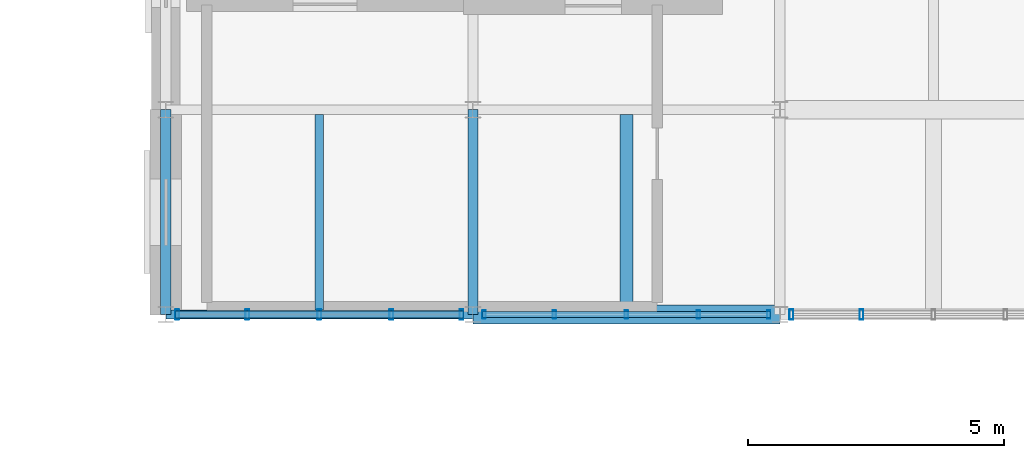
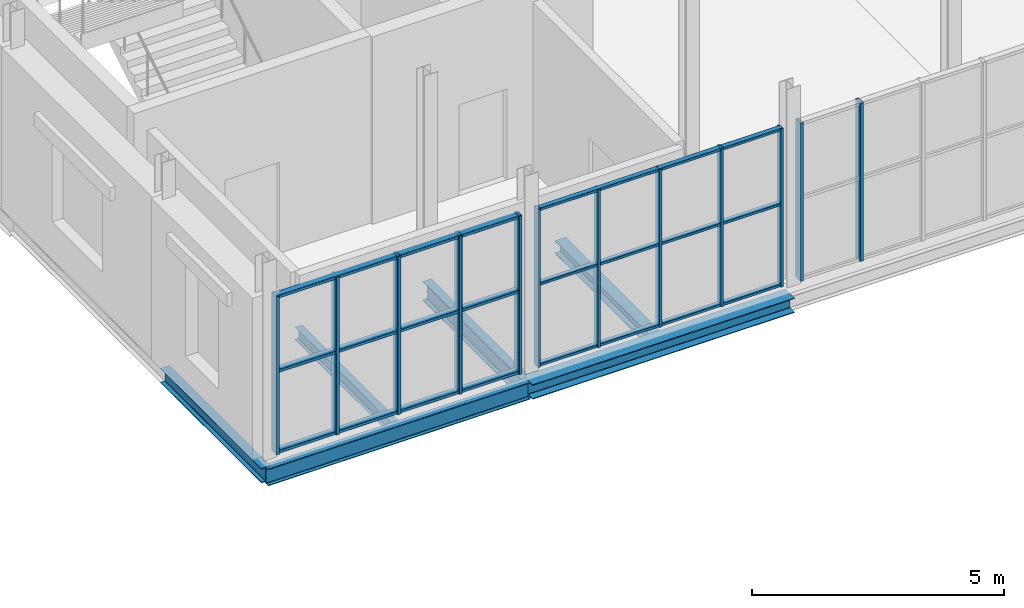
# One storey, part 64 of 114: 18 members, 6 beams, 3 elements without a shape of their own.
"""IFC4 building model written with IfcOpenShell, lengths in metres."""

from ifc_helpers import new_model, si_unit, direction, frame, origin, origin_2d, place, context, subcontext, project, spatial, hollow_rectangle, i_section, extrude, material, material_profile, profile_set, type_object, element, aggregate, save


model = new_model("IFC4")

# Units and contexts
model_context = context("Model", 3, precision=1e-05, world=origin(), true_north=direction((0.0, 1.0)))
body_context = subcontext(model_context, "Body", "Model", "MODEL_VIEW")
ifc_project = project(units=[si_unit("LENGTHUNIT", "METRE"), si_unit("AREAUNIT", "SQUARE_METRE"), si_unit("VOLUMEUNIT", "CUBIC_METRE"), si_unit("PLANEANGLEUNIT", "RADIAN"), si_unit("MASSUNIT", "GRAM", prefix="KILO")], contexts=[model_context])

# Site, building, storey
site_placement = place(None, origin())
site = spatial("IfcSite", under=ifc_project, at=site_placement, CompositionType="ELEMENT")
building_placement = place(site_placement, origin())
building = spatial("IfcBuilding", under=site, at=building_placement, Name="Verrall Gate Interchange", CompositionType="ELEMENT")
storey_placement = place(building_placement, frame((0.0, 0.0, 6.60009765625)))
storey = spatial("IfcBuildingStorey", under=building, at=storey_placement, Name="L02", CompositionType="ELEMENT", Elevation=6.60009765625)

# Beams
ifc_material_1 = material(Name="Structural Steel CSA G40.21 350W", Category="steel")
ifc_material_profile_1 = material_profile(ifc_material_1, i_section(OverallWidth=0.19189453125, OverallDepth=0.462890625, WebThickness=0.010498046875, FlangeThickness=0.017578125, FilletRadius=0.012939453125, at=origin_2d()), Name="W460x89")
ifc_profile_set_1 = profile_set([ifc_material_profile_1], Name="Structural Steel CSA G40.21 350W")
beam_type_1 = type_object("IfcBeamType", Name="B-11 Structural Beam W460x89", PredefinedType="BEAM", material=ifc_profile_set_1)
beam_1_placement = place(storey_placement, frame((138.0, 12.0, -0.51171875), z_axis=(0.0, 1.0, 0.0), x_axis=(-1.0, 0.0, 0.0)))
element("IfcBeam", 1, at=beam_1_placement, inside=storey, type_object=beam_type_1, Name="L02 Girder BM-L02-1791 (B-11)", PredefinedType="BEAM", context=body_context, shape_type="SweptSolid", body=[
    extrude(i_section(OverallWidth=0.19189453125, OverallDepth=0.462890625, WebThickness=0.010498046875, FlangeThickness=0.017578125, FilletRadius=0.012939453125, at=origin_2d()), origin(), (0.0, 0.0, 1.0), 4.0),
])
ifc_material_2 = material(Name="Structural Steel CSA G40.21 350W", Category="steel")
ifc_material_profile_2 = material_profile(ifc_material_2, i_section(OverallWidth=0.178955078125, OverallDepth=0.409912109375, WebThickness=0.0087890625, FlangeThickness=0.014404296875, FilletRadius=0.011962890625, at=origin_2d()), Name="W410x67")
ifc_profile_set_2 = profile_set([ifc_material_profile_2], Name="Structural Steel CSA G40.21 350W")
beam_type_2 = type_object("IfcBeamType", Name="B-12 Structural Beam W410x67", PredefinedType="BEAM", material=ifc_profile_set_2)
beam_2_placement = place(storey_placement, frame((132.0, 12.0, -0.485107421875), z_axis=(1.0, 0.0, 0.0), x_axis=(0.0, 1.0, 0.0)))
element("IfcBeam", 2, at=beam_2_placement, inside=storey, type_object=beam_type_2, Name="L02 Girder BM-L02-1481 (B-12)", PredefinedType="BEAM", context=body_context, shape_type="SweptSolid", body=[
    extrude(i_section(OverallWidth=0.178955078125, OverallDepth=0.409912109375, WebThickness=0.0087890625, FlangeThickness=0.014404296875, FilletRadius=0.011962890625, at=origin_2d()), origin(), (0.0, 0.0, 1.0), 6.0),
])
ifc_material_3 = material(Name="Structural Steel CSA G40.21 350W", Category="steel")
ifc_material_profile_3 = material_profile(ifc_material_3, i_section(OverallWidth=0.368896484375, OverallDepth=0.35595703125, WebThickness=0.01123046875, FlangeThickness=0.01806640625, FilletRadius=0.014892578125, at=origin_2d()), Name="W360x134")
ifc_profile_set_3 = profile_set([ifc_material_profile_3], Name="Structural Steel CSA G40.21 350W")
beam_type_3 = type_object("IfcBeamType", Name="B-13 Structural Beam W360x134", PredefinedType="BEAM", material=ifc_profile_set_3)
beam_3_placement = place(storey_placement, frame((138.0, 12.0, -0.4580078125), z_axis=(1.0, 0.0, 0.0), x_axis=(0.0, 1.0, 0.0)))
element("IfcBeam", 3, at=beam_3_placement, inside=storey, type_object=beam_type_3, Name="L02 Girder BM-L02-1482 (B-13)", PredefinedType="BEAM", context=body_context, shape_type="SweptSolid", body=[
    extrude(i_section(OverallWidth=0.368896484375, OverallDepth=0.35595703125, WebThickness=0.01123046875, FlangeThickness=0.01806640625, FilletRadius=0.014892578125, at=origin_2d()), origin(), (0.0, 0.0, 1.0), 6.0),
])
ifc_material_4 = material(Name="Structural Steel CSA G40.21 350W", Category="steel")
ifc_material_profile_4 = material_profile(ifc_material_4, i_section(OverallWidth=0.205078125, OverallDepth=0.35400390625, WebThickness=0.009521484375, FlangeThickness=0.016845703125, FilletRadius=0.012939453125, at=origin_2d()), Name="W360x79")
ifc_profile_set_4 = profile_set([ifc_material_profile_4], Name="Structural Steel CSA G40.21 350W")
beam_type_4 = type_object("IfcBeamType", Name="B-14 Structural Beam W360x79", PredefinedType="BEAM", material=ifc_profile_set_4)
beam_4_placement = place(storey_placement, frame((132.0, 12.0, -0.45703125), z_axis=(0.0, 1.0, 0.0), x_axis=(-1.0, 0.0, 0.0)))
element("IfcBeam", 4, at=beam_4_placement, inside=storey, type_object=beam_type_4, Name="L02 Girder BM-L02-1783 (B-14)", PredefinedType="BEAM", context=body_context, shape_type="SweptSolid", body=[
    extrude(i_section(OverallWidth=0.205078125, OverallDepth=0.35400390625, WebThickness=0.009521484375, FlangeThickness=0.016845703125, FilletRadius=0.012939453125, at=origin_2d()), origin(), (0.0, 0.0, 1.0), 4.0),
])

# Curtain wall, members
ifc_material_5 = material(Name="Thermally Broken Anodized Aluminium Curtain Wall Framing", Category="aluminium")
curtain_wall_type = type_object("IfcCurtainWallType", Name="CW-18 Unitized Curtain Wall 5631x3760", PredefinedType="NOTDEFINED", material=ifc_material_5)
curtain_wall_1_placement = place(storey_placement, origin())
curtain_wall_1 = element("IfcCurtainWall", 5, at=curtain_wall_1_placement, inside=storey, type_object=curtain_wall_type, Name="L02 Unitized Curtain Wall CW-L02-086", PredefinedType="NOTDEFINED")
ifc_material_6 = material(Name="Thermally Broken Anodized Aluminium Curtain Wall Framing", Category="aluminium")
ifc_material_profile_5 = material_profile(ifc_material_6, hollow_rectangle(XDim=0.06494140625, YDim=0.159912109375, WallThickness=0.00390625, InnerFilletRadius=0.00390625, OuterFilletRadius=0.008056640625, at=origin_2d()), Name="CWM160x65x4")
ifc_profile_set_5 = profile_set([ifc_material_profile_5], Name="Thermally Broken Anodized Aluminium Curtain Wall Framing")
member_type_1 = type_object("IfcMemberType", Name="CM-01 Curtain Mullion CWM160x65x4", PredefinedType="MULLION", material=ifc_profile_set_5)
member_1_placement = place(storey_placement, frame((138.218017578125, 12.0, 0.0), z_axis=(0.0, 0.0, 1.0), x_axis=(1.0, 0.0, 0.0)))
member_1 = element("IfcMember", 6, at=member_1_placement, type_object=member_type_1, Name="CW-L02-086 Mullion 1", PredefinedType="MULLION", context=body_context, shape_type="SweptSolid", body=[
    extrude(hollow_rectangle(XDim=0.06494140625, YDim=0.159912109375, WallThickness=0.00390625, InnerFilletRadius=0.00390625, OuterFilletRadius=0.008056640625, at=origin_2d()), origin(), (0.0, 0.0, 1.0), 3.829833984375),
])
member_2_placement = place(storey_placement, frame((139.5927734375, 12.0, 0.0), z_axis=(0.0, 0.0, 1.0), x_axis=(1.0, 0.0, 0.0)))
member_2 = element("IfcMember", 7, at=member_2_placement, type_object=member_type_1, Name="CW-L02-086 Mullion 2", PredefinedType="MULLION", context=body_context, shape_type="SweptSolid", body=[
    extrude(hollow_rectangle(XDim=0.06494140625, YDim=0.159912109375, WallThickness=0.00390625, InnerFilletRadius=0.00390625, OuterFilletRadius=0.008056640625, at=origin_2d()), origin(), (0.0, 0.0, 1.0), 3.829833984375),
])
member_3_placement = place(storey_placement, frame((141.0, 12.0, 0.0), z_axis=(0.0, 0.0, 1.0), x_axis=(1.0, 0.0, 0.0)))
member_3 = element("IfcMember", 8, at=member_3_placement, type_object=member_type_1, Name="CW-L02-086 Mullion 3", PredefinedType="MULLION", context=body_context, shape_type="SweptSolid", body=[
    extrude(hollow_rectangle(XDim=0.06494140625, YDim=0.159912109375, WallThickness=0.00390625, InnerFilletRadius=0.00390625, OuterFilletRadius=0.008056640625, at=origin_2d()), origin(), (0.0, 0.0, 1.0), 3.829833984375),
])
member_4_placement = place(storey_placement, frame((142.4072265625, 12.0, 0.0), z_axis=(0.0, 0.0, 1.0), x_axis=(1.0, 0.0, 0.0)))
member_4 = element("IfcMember", 9, at=member_4_placement, type_object=member_type_1, Name="CW-L02-086 Mullion 4", PredefinedType="MULLION", context=body_context, shape_type="SweptSolid", body=[
    extrude(hollow_rectangle(XDim=0.06494140625, YDim=0.159912109375, WallThickness=0.00390625, InnerFilletRadius=0.00390625, OuterFilletRadius=0.008056640625, at=origin_2d()), origin(), (0.0, 0.0, 1.0), 3.829833984375),
])
member_5_placement = place(storey_placement, frame((143.781982421875, 12.0, 0.0), z_axis=(0.0, 0.0, 1.0), x_axis=(1.0, 0.0, 0.0)))
member_5 = element("IfcMember", 10, at=member_5_placement, type_object=member_type_1, Name="CW-L02-086 Mullion 5", PredefinedType="MULLION", context=body_context, shape_type="SweptSolid", body=[
    extrude(hollow_rectangle(XDim=0.06494140625, YDim=0.159912109375, WallThickness=0.00390625, InnerFilletRadius=0.00390625, OuterFilletRadius=0.008056640625, at=origin_2d()), origin(), (0.0, 0.0, 1.0), 3.829833984375),
])

curtain_wall_2_placement = place(storey_placement, origin())
curtain_wall_2 = element("IfcCurtainWall", 11, at=curtain_wall_2_placement, inside=storey, type_object=curtain_wall_type, Name="L02 Unitized Curtain Wall CW-L02-085", PredefinedType="NOTDEFINED")
ifc_material_7 = material(Name="Thermally Broken Anodized Aluminium Curtain Wall Framing", Category="aluminium")
ifc_material_profile_6 = material_profile(ifc_material_7, hollow_rectangle(XDim=0.074951171875, YDim=0.199951171875, WallThickness=0.0048828125, InnerFilletRadius=0.0048828125, OuterFilletRadius=0.010009765625, at=origin_2d()), Name="CWM200x75x5")
ifc_profile_set_6 = profile_set([ifc_material_profile_6], Name="Thermally Broken Anodized Aluminium Curtain Wall Framing")
member_type_2 = type_object("IfcMemberType", Name="CM-02 Curtain Mullion CWM200x75x5", PredefinedType="MULLION", material=ifc_profile_set_6)
member_6_placement = place(storey_placement, frame((132.222900390625, 12.0, 0.0), z_axis=(0.0, 0.0, 1.0), x_axis=(1.0, 0.0, 0.0)))
member_6 = element("IfcMember", 12, at=member_6_placement, type_object=member_type_2, Name="CW-L02-085 Mullion 1", PredefinedType="MULLION", context=body_context, shape_type="SweptSolid", body=[
    extrude(hollow_rectangle(XDim=0.074951171875, YDim=0.199951171875, WallThickness=0.0048828125, InnerFilletRadius=0.0048828125, OuterFilletRadius=0.010009765625, at=origin_2d()), origin(), (0.0, 0.0, 1.0), 3.829833984375),
])
member_7_placement = place(storey_placement, frame((133.5927734375, 12.0, 0.0), z_axis=(0.0, 0.0, 1.0), x_axis=(1.0, 0.0, 0.0)))
member_7 = element("IfcMember", 13, at=member_7_placement, type_object=member_type_2, Name="CW-L02-085 Mullion 2", PredefinedType="MULLION", context=body_context, shape_type="SweptSolid", body=[
    extrude(hollow_rectangle(XDim=0.074951171875, YDim=0.199951171875, WallThickness=0.0048828125, InnerFilletRadius=0.0048828125, OuterFilletRadius=0.010009765625, at=origin_2d()), origin(), (0.0, 0.0, 1.0), 3.829833984375),
])
member_8_placement = place(storey_placement, frame((135.0, 12.0, 0.0), z_axis=(0.0, 0.0, 1.0), x_axis=(1.0, 0.0, 0.0)))
member_8 = element("IfcMember", 14, at=member_8_placement, type_object=member_type_2, Name="CW-L02-085 Mullion 3", PredefinedType="MULLION", context=body_context, shape_type="SweptSolid", body=[
    extrude(hollow_rectangle(XDim=0.074951171875, YDim=0.199951171875, WallThickness=0.0048828125, InnerFilletRadius=0.0048828125, OuterFilletRadius=0.010009765625, at=origin_2d()), origin(), (0.0, 0.0, 1.0), 3.829833984375),
])
member_9_placement = place(storey_placement, frame((136.4072265625, 12.0, 0.0), z_axis=(0.0, 0.0, 1.0), x_axis=(1.0, 0.0, 0.0)))
member_9 = element("IfcMember", 15, at=member_9_placement, type_object=member_type_2, Name="CW-L02-085 Mullion 4", PredefinedType="MULLION", context=body_context, shape_type="SweptSolid", body=[
    extrude(hollow_rectangle(XDim=0.074951171875, YDim=0.199951171875, WallThickness=0.0048828125, InnerFilletRadius=0.0048828125, OuterFilletRadius=0.010009765625, at=origin_2d()), origin(), (0.0, 0.0, 1.0), 3.829833984375),
])
member_10_placement = place(storey_placement, frame((137.777099609375, 12.0, 0.0), z_axis=(0.0, 0.0, 1.0), x_axis=(1.0, 0.0, 0.0)))
member_10 = element("IfcMember", 16, at=member_10_placement, type_object=member_type_2, Name="CW-L02-085 Mullion 5", PredefinedType="MULLION", context=body_context, shape_type="SweptSolid", body=[
    extrude(hollow_rectangle(XDim=0.074951171875, YDim=0.199951171875, WallThickness=0.0048828125, InnerFilletRadius=0.0048828125, OuterFilletRadius=0.010009765625, at=origin_2d()), origin(), (0.0, 0.0, 1.0), 3.829833984375),
])

curtain_wall_3_placement = place(storey_placement, origin())
curtain_wall_3 = element("IfcCurtainWall", 17, at=curtain_wall_3_placement, inside=storey, type_object=curtain_wall_type, Name="L02 Unitized Curtain Wall CW-L02-087", PredefinedType="NOTDEFINED")
member_11_placement = place(storey_placement, frame((144.222900390625, 12.0, 0.0), z_axis=(0.0, 0.0, 1.0), x_axis=(1.0, 0.0, 0.0)))
member_11 = element("IfcMember", 18, at=member_11_placement, type_object=member_type_2, Name="CW-L02-087 Mullion 1", PredefinedType="MULLION", context=body_context, shape_type="SweptSolid", body=[
    extrude(hollow_rectangle(XDim=0.074951171875, YDim=0.199951171875, WallThickness=0.0048828125, InnerFilletRadius=0.0048828125, OuterFilletRadius=0.010009765625, at=origin_2d()), origin(), (0.0, 0.0, 1.0), 3.829833984375),
])
member_12_placement = place(storey_placement, frame((145.5927734375, 12.0, 0.0), z_axis=(0.0, 0.0, 1.0), x_axis=(1.0, 0.0, 0.0)))
member_12 = element("IfcMember", 19, at=member_12_placement, type_object=member_type_2, Name="CW-L02-087 Mullion 2", PredefinedType="MULLION", context=body_context, shape_type="SweptSolid", body=[
    extrude(hollow_rectangle(XDim=0.074951171875, YDim=0.199951171875, WallThickness=0.0048828125, InnerFilletRadius=0.0048828125, OuterFilletRadius=0.010009765625, at=origin_2d()), origin(), (0.0, 0.0, 1.0), 3.829833984375),
])
aggregate(curtain_wall_3, [member_11, member_12])

# Member
ifc_material_8 = material(Name="Thermally Broken Anodized Aluminium Curtain Wall Framing", Category="aluminium")
ifc_material_profile_7 = material_profile(ifc_material_8, hollow_rectangle(XDim=0.1201171875, YDim=0.06494140625, WallThickness=0.00390625, InnerFilletRadius=0.00390625, OuterFilletRadius=0.008056640625, at=origin_2d()), Name="CWT120x65x4")
ifc_profile_set_7 = profile_set([ifc_material_profile_7], Name="Thermally Broken Anodized Aluminium Curtain Wall Framing")
member_type_3 = type_object("IfcMemberType", Name="CT-01 Curtain Transom CWT120x65x4", PredefinedType="USERDEFINED", material=ifc_profile_set_7)
member_13_placement = place(storey_placement, frame((138.185546875, 12.0, 0.032470703125), z_axis=(1.0, 0.0, 0.0), x_axis=(0.0, 1.0, 0.0)))
member_13 = element("IfcMember", 20, at=member_13_placement, type_object=member_type_3, Name="CW-L02-086 Transom 1", ObjectType="TRANSOM", PredefinedType="USERDEFINED", context=body_context, shape_type="SweptSolid", body=[
    extrude(hollow_rectangle(XDim=0.1201171875, YDim=0.06494140625, WallThickness=0.00390625, InnerFilletRadius=0.00390625, OuterFilletRadius=0.008056640625, at=origin_2d()), origin(), (0.0, 0.0, 1.0), 5.62890625),
])

member_14_placement = place(storey_placement, frame((138.185546875, 12.0, 1.991455078125), z_axis=(1.0, 0.0, 0.0), x_axis=(0.0, 1.0, 0.0)))
member_14 = element("IfcMember", 21, at=member_14_placement, type_object=member_type_3, Name="CW-L02-086 Transom 2", ObjectType="TRANSOM", PredefinedType="USERDEFINED", context=body_context, shape_type="SweptSolid", body=[
    extrude(hollow_rectangle(XDim=0.1201171875, YDim=0.06494140625, WallThickness=0.00390625, InnerFilletRadius=0.00390625, OuterFilletRadius=0.008056640625, at=origin_2d()), origin(), (0.0, 0.0, 1.0), 5.62890625),
])

member_15_placement = place(storey_placement, frame((138.185546875, 12.0, 3.79736328125), z_axis=(1.0, 0.0, 0.0), x_axis=(0.0, 1.0, 0.0)))
member_15 = element("IfcMember", 22, at=member_15_placement, type_object=member_type_3, Name="CW-L02-086 Transom 3", ObjectType="TRANSOM", PredefinedType="USERDEFINED", context=body_context, shape_type="SweptSolid", body=[
    extrude(hollow_rectangle(XDim=0.1201171875, YDim=0.06494140625, WallThickness=0.00390625, InnerFilletRadius=0.00390625, OuterFilletRadius=0.008056640625, at=origin_2d()), origin(), (0.0, 0.0, 1.0), 5.62890625),
])

aggregate(curtain_wall_1, [member_1, member_2, member_3, member_4, member_5, member_13, member_14, member_15])

ifc_material_9 = material(Name="Thermally Broken Anodized Aluminium Curtain Wall Framing", Category="aluminium")
ifc_material_profile_8 = material_profile(ifc_material_9, hollow_rectangle(XDim=0.14990234375, YDim=0.074951171875, WallThickness=0.00439453125, InnerFilletRadius=0.00439453125, OuterFilletRadius=0.009033203125, at=origin_2d()), Name="CWT150x75x4.5")
ifc_profile_set_8 = profile_set([ifc_material_profile_8], Name="Thermally Broken Anodized Aluminium Curtain Wall Framing")
member_type_4 = type_object("IfcMemberType", Name="CT-02 Curtain Transom CWT150x75x4.5", PredefinedType="USERDEFINED", material=ifc_profile_set_8)
member_16_placement = place(storey_placement, frame((132.185546875, 12.0, 0.037353515625), z_axis=(1.0, 0.0, 0.0), x_axis=(0.0, 1.0, 0.0)))
member_16 = element("IfcMember", 23, at=member_16_placement, type_object=member_type_4, Name="CW-L02-085 Transom 1", ObjectType="TRANSOM", PredefinedType="USERDEFINED", context=body_context, shape_type="SweptSolid", body=[
    extrude(hollow_rectangle(XDim=0.14990234375, YDim=0.074951171875, WallThickness=0.00439453125, InnerFilletRadius=0.00439453125, OuterFilletRadius=0.009033203125, at=origin_2d()), origin(), (0.0, 0.0, 1.0), 5.62890625),
])

member_17_placement = place(storey_placement, frame((132.185546875, 12.0, 1.991455078125), z_axis=(1.0, 0.0, 0.0), x_axis=(0.0, 1.0, 0.0)))
member_17 = element("IfcMember", 24, at=member_17_placement, type_object=member_type_4, Name="CW-L02-085 Transom 2", ObjectType="TRANSOM", PredefinedType="USERDEFINED", context=body_context, shape_type="SweptSolid", body=[
    extrude(hollow_rectangle(XDim=0.14990234375, YDim=0.074951171875, WallThickness=0.00439453125, InnerFilletRadius=0.00439453125, OuterFilletRadius=0.009033203125, at=origin_2d()), origin(), (0.0, 0.0, 1.0), 5.62890625),
])

member_18_placement = place(storey_placement, frame((132.185546875, 12.0, 3.79248046875), z_axis=(1.0, 0.0, 0.0), x_axis=(0.0, 1.0, 0.0)))
member_18 = element("IfcMember", 25, at=member_18_placement, type_object=member_type_4, Name="CW-L02-085 Transom 3", ObjectType="TRANSOM", PredefinedType="USERDEFINED", context=body_context, shape_type="SweptSolid", body=[
    extrude(hollow_rectangle(XDim=0.14990234375, YDim=0.074951171875, WallThickness=0.00439453125, InnerFilletRadius=0.00439453125, OuterFilletRadius=0.009033203125, at=origin_2d()), origin(), (0.0, 0.0, 1.0), 5.62890625),
])

aggregate(curtain_wall_2, [member_6, member_7, member_8, member_9, member_10, member_16, member_17, member_18])

# Beams
ifc_material_10 = material(Name="Structural Steel CSA G40.21 350W", Category="steel")
ifc_material_profile_9 = material_profile(ifc_material_10, i_section(OverallWidth=0.25390625, OverallDepth=0.305908203125, WebThickness=0.0087890625, FlangeThickness=0.0146484375, FilletRadius=0.012939453125, at=origin_2d()), Name="W310x79")
ifc_profile_set_9 = profile_set([ifc_material_profile_9], Name="Structural Steel CSA G40.21 350W")
beam_type_5 = type_object("IfcBeamType", Name="J-03 Floor Joist W310x79", PredefinedType="JOIST", material=ifc_profile_set_9)
beam_5_placement = place(storey_placement, frame((141.0, 12.1845703125, -0.43310546875), z_axis=(0.0, 1.0, 0.0), x_axis=(-1.0, 0.0, 0.0)))
element("IfcBeam", 26, at=beam_5_placement, inside=storey, type_object=beam_type_5, Name="L02 Secondary Floor Joist JST-L02-1879", PredefinedType="JOIST", context=body_context, shape_type="SweptSolid", body=[
    extrude(i_section(OverallWidth=0.25390625, OverallDepth=0.305908203125, WebThickness=0.0087890625, FlangeThickness=0.0146484375, FilletRadius=0.012939453125, at=origin_2d()), origin(), (0.0, 0.0, 1.0), 3.725830078125),
])
ifc_material_11 = material(Name="Structural Steel CSA G40.21 350W", Category="steel")
ifc_material_profile_10 = material_profile(ifc_material_11, i_section(OverallWidth=0.1650390625, OverallDepth=0.31005859375, WebThickness=0.005859375, FlangeThickness=0.009765625, FilletRadius=0.010009765625, at=origin_2d()), Name="W310x39")
ifc_profile_set_10 = profile_set([ifc_material_profile_10], Name="Structural Steel CSA G40.21 350W")
beam_type_6 = type_object("IfcBeamType", Name="J-04 Floor Joist W310x39", PredefinedType="JOIST", material=ifc_profile_set_10)
beam_6_placement = place(storey_placement, frame((135.0, 12.089599609375, -0.43505859375), z_axis=(0.0, 1.0, 0.0), x_axis=(-1.0, 0.0, 0.0)))
element("IfcBeam", 27, at=beam_6_placement, inside=storey, type_object=beam_type_6, Name="L02 Secondary Floor Joist JST-L02-1878", PredefinedType="JOIST", context=body_context, shape_type="SweptSolid", body=[
    extrude(i_section(OverallWidth=0.1650390625, OverallDepth=0.31005859375, WebThickness=0.005859375, FlangeThickness=0.009765625, FilletRadius=0.010009765625, at=origin_2d()), origin(), (0.0, 0.0, 1.0), 3.814453125),
])

save(model, "model.ifc")
